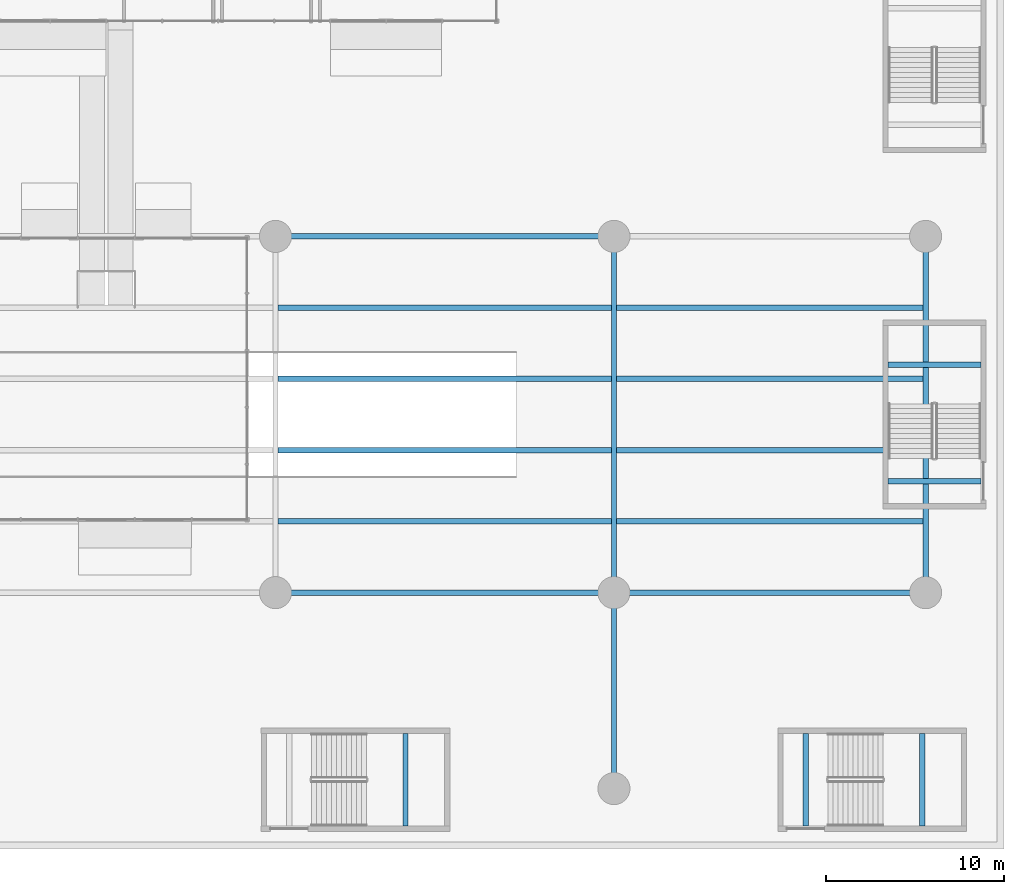
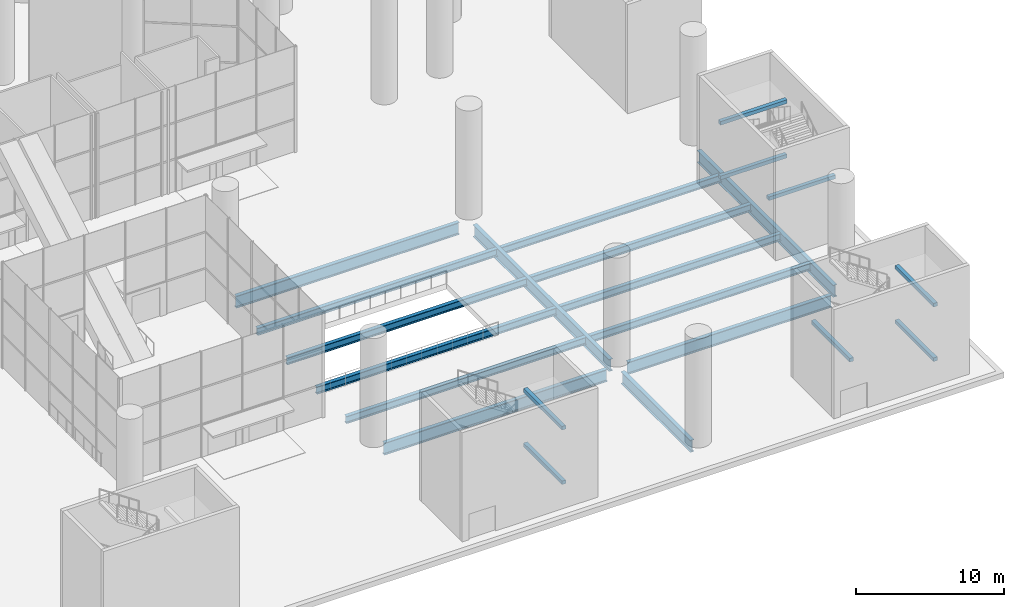
# One storey, part 8 of 37: 22 beams.
"""IFC4 building model written with IfcOpenShell, lengths in metres."""

from ifc_helpers import new_model, si_unit, direction, frame, origin, origin_2d, place, context, subcontext, project, spatial, rectangle, i_section, extrude, material, material_profile, profile_set, type_object, element, save


model = new_model("IFC4")

# Units and contexts
model_context = context("Model", 3, precision=1e-05, world=origin(), true_north=direction((0.0, 1.0)))
body_context = subcontext(model_context, "Body", "Model", "MODEL_VIEW")
ifc_project = project(units=[si_unit("LENGTHUNIT", "METRE"), si_unit("AREAUNIT", "SQUARE_METRE"), si_unit("VOLUMEUNIT", "CUBIC_METRE"), si_unit("PLANEANGLEUNIT", "RADIAN"), si_unit("MASSUNIT", "GRAM", prefix="KILO")], contexts=[model_context])

# Site, building, storey
site_placement = place(None, origin())
site = spatial("IfcSite", under=ifc_project, at=site_placement, CompositionType="ELEMENT")
building_placement = place(site_placement, origin())
building = spatial("IfcBuilding", under=site, at=building_placement, Name="Tel Ilan Convention Tower", CompositionType="ELEMENT")
storey_placement = place(building_placement, origin())
storey = spatial("IfcBuildingStorey", under=building, at=storey_placement, Name="L00", CompositionType="ELEMENT", Elevation=0.0)

# Beams
ifc_material_1 = material(Name="Steel S355", Category="steel")
ifc_material_profile_1 = material_profile(ifc_material_1, i_section(OverallWidth=0.300048828125, OverallDepth=1.0, WebThickness=0.01904296875, FlangeThickness=0.035888671875, FilletRadius=0.030029296875, at=origin_2d()), Name="HEB 1000")
ifc_profile_set_1 = profile_set([ifc_material_profile_1], Name="Steel S355")
beam_type_1 = type_object("IfcBeamType", Name="Girder HEB 1000 Steel S355", PredefinedType="BEAM", material=ifc_profile_set_1)
beam_1_placement = place(storey_placement, frame((10.300048828125, -68.0, -0.949951171875), z_axis=(1.0, 0.0, 0.0), x_axis=(0.0, 1.0, 0.0)))
element("IfcBeam", 1, at=beam_1_placement, inside=storey, type_object=beam_type_1, Name="L00 beam GX24-5", PredefinedType="BEAM", context=body_context, shape_type="SweptSolid", body=[
    extrude(i_section(OverallWidth=0.300048828125, OverallDepth=1.0, WebThickness=0.01904296875, FlangeThickness=0.035888671875, FilletRadius=0.030029296875, at=origin_2d()), origin(), (0.0, 0.0, 1.0), 17.39990234375),
])
beam_2_placement = place(storey_placement, frame((29.300048828125, -68.0, -0.949951171875), z_axis=(1.0, 0.0, 0.0), x_axis=(0.0, 1.0, 0.0)))
element("IfcBeam", 2, at=beam_2_placement, inside=storey, type_object=beam_type_1, Name="L00 beam GX25-6", PredefinedType="BEAM", context=body_context, shape_type="SweptSolid", body=[
    extrude(i_section(OverallWidth=0.300048828125, OverallDepth=1.0, WebThickness=0.01904296875, FlangeThickness=0.035888671875, FilletRadius=0.030029296875, at=origin_2d()), origin(), (0.0, 0.0, 1.0), 15.89990234375),
])
beam_3_placement = place(storey_placement, frame((10.300048828125, -48.0, -0.949951171875), z_axis=(1.0, 0.0, 0.0), x_axis=(0.0, 1.0, 0.0)))
element("IfcBeam", 3, at=beam_3_placement, inside=storey, type_object=beam_type_1, Name="L00 beam GX34-5", PredefinedType="BEAM", context=body_context, shape_type="SweptSolid", body=[
    extrude(i_section(OverallWidth=0.300048828125, OverallDepth=1.0, WebThickness=0.01904296875, FlangeThickness=0.035888671875, FilletRadius=0.030029296875, at=origin_2d()), origin(), (0.0, 0.0, 1.0), 17.39990234375),
])
beam_4_placement = place(storey_placement, frame((28.5, -78.199951171875, -0.949951171875), z_axis=(0.0, 1.0, 0.0), x_axis=(-1.0, 0.0, 0.0)))
element("IfcBeam", 4, at=beam_4_placement, inside=storey, type_object=beam_type_1, Name="L00 beam GY51-2", PredefinedType="BEAM", context=body_context, shape_type="SweptSolid", body=[
    extrude(i_section(OverallWidth=0.300048828125, OverallDepth=1.0, WebThickness=0.01904296875, FlangeThickness=0.035888671875, FilletRadius=0.030029296875, at=origin_2d()), origin(), (0.0, 0.0, 1.0), 9.39990234375),
])
for number, where, z_axis, x_axis, name in (
    (5, (28.5, -67.199951171875, -0.949951171875), (0.0, 1.0, 0.0), (-1.0, 0.0, 0.0), "L00 beam GY52-3"),
    (6, (46.0, -67.199951171875, -0.949951171875), (0.0, 1.0, 0.0), (-1.0, 0.0, 0.0), "L00 beam GY62-3"),
):
    element("IfcBeam", number, at=place(storey_placement, frame(where, z_axis=z_axis, x_axis=x_axis)), inside=storey, type_object=beam_type_1, Name=name, PredefinedType="BEAM", context=body_context, shape_type="SweptSolid", body=[
        extrude(i_section(OverallWidth=0.300048828125, OverallDepth=1.0, WebThickness=0.01904296875, FlangeThickness=0.035888671875, FilletRadius=0.030029296875, at=origin_2d()), origin(), (0.0, 0.0, 1.0), 18.39990234375),
    ])
ifc_material_2 = material(Name="Steel S355", Category="steel")
ifc_material_profile_2 = material_profile(ifc_material_2, i_section(OverallWidth=0.300048828125, OverallDepth=0.60009765625, WebThickness=0.015380859375, FlangeThickness=0.030029296875, FilletRadius=0.027099609375, at=origin_2d()), Name="HEB 600")
ifc_profile_set_2 = profile_set([ifc_material_profile_2], Name="Steel S355")
beam_type_2 = type_object("IfcBeamType", Name="Joist HEB 600 Steel S355", PredefinedType="JOIST", material=ifc_profile_set_2)
for number, where, z_axis, x_axis, name in (
    (7, (9.639892578125, -64.0, -0.75), (1.0, 0.0, 0.0), (0.0, 1.0, 0.0), "L00 beam J4--68-1"),
    (8, (9.639892578125, -60.0, -0.75), (1.0, 0.0, 0.0), (0.0, 1.0, 0.0), "L00 beam J4--68-2"),
    (9, (9.639892578125, -56.0, -0.75), (1.0, 0.0, 0.0), (0.0, 1.0, 0.0), "L00 beam J4--68-3"),
    (10, (9.639892578125, -52.0, -0.75), (1.0, 0.0, 0.0), (0.0, 1.0, 0.0), "L00 beam J4--68-4"),
):
    element("IfcBeam", number, at=place(storey_placement, frame(where, z_axis=z_axis, x_axis=x_axis)), inside=storey, type_object=beam_type_2, Name=name, PredefinedType="JOIST", context=body_context, shape_type="SweptSolid", body=[
        extrude(i_section(OverallWidth=0.300048828125, OverallDepth=0.60009765625, WebThickness=0.015380859375, FlangeThickness=0.030029296875, FilletRadius=0.027099609375, at=origin_2d()), origin(), (0.0, 0.0, 1.0), 18.72021484375),
    ])
for number, where, z_axis, x_axis, name in (
    (11, (28.639892578125, -64.0, -0.75), (1.0, 0.0, 0.0), (0.0, 1.0, 0.0), "L00 beam J5--68-1"),
    (12, (28.639892578125, -60.0, -0.75), (1.0, 0.0, 0.0), (0.0, 1.0, 0.0), "L00 beam J5--68-2"),
    (13, (28.639892578125, -56.0, -0.75), (1.0, 0.0, 0.0), (0.0, 1.0, 0.0), "L00 beam J5--68-3"),
    (14, (28.639892578125, -52.0, -0.75), (1.0, 0.0, 0.0), (0.0, 1.0, 0.0), "L00 beam J5--68-4"),
):
    element("IfcBeam", number, at=place(storey_placement, frame(where, z_axis=z_axis, x_axis=x_axis)), inside=storey, type_object=beam_type_2, Name=name, PredefinedType="JOIST", context=body_context, shape_type="SweptSolid", body=[
        extrude(i_section(OverallWidth=0.300048828125, OverallDepth=0.60009765625, WebThickness=0.015380859375, FlangeThickness=0.030029296875, FilletRadius=0.027099609375, at=origin_2d()), origin(), (0.0, 0.0, 1.0), 17.22021484375),
    ])
ifc_material_3 = material(Name="Concrete C40/50", Category="concrete")
ifc_material_profile_3 = material_profile(ifc_material_3, rectangle(XDim=0.300048828125, YDim=0.300048828125, at=origin_2d()), Name="RC 300x300")
ifc_profile_set_3 = profile_set([ifc_material_profile_3], Name="Concrete C40/50")
beam_type_3 = type_object("IfcBeamType", Name="Landing Beam RC 300x300 Concrete C40/50", PredefinedType="BEAM", material=ifc_profile_set_3)
for number, where, z_axis, x_axis, name in (
    (15, (16.802001953125, -81.10009765625, 1.89990234375), (0.0, 1.0, 0.0), (-1.0, 0.0, 0.0), "P3 landing beam L00.1"),
    (16, (16.802001953125, -81.10009765625, 6.39990234375), (0.0, 1.0, 0.0), (-1.0, 0.0, 0.0), "P3 landing beam L00.3"),
    (17, (45.802001953125, -81.10009765625, 1.89990234375), (0.0, 1.0, 0.0), (-1.0, 0.0, 0.0), "P4 landing beam L00.1"),
    (18, (39.262939453125, -81.10009765625, 4.14990234375), (0.0, 1.0, 0.0), (-1.0, 0.0, 0.0), "P4 landing beam L00.2"),
    (19, (45.802001953125, -81.10009765625, 6.39990234375), (0.0, 1.0, 0.0), (-1.0, 0.0, 0.0), "P4 landing beam L00.3"),
    (20, (49.10009765625, -55.197998046875, 1.89990234375), (-1.0, 0.0, 0.0), (0.0, -1.0, 0.0), "P6 landing beam L00.1"),
    (21, (49.10009765625, -61.737060546875, 4.14990234375), (-1.0, 0.0, 0.0), (0.0, -1.0, 0.0), "P6 landing beam L00.2"),
    (22, (49.10009765625, -55.197998046875, 6.39990234375), (-1.0, 0.0, 0.0), (0.0, -1.0, 0.0), "P6 landing beam L00.3"),
):
    element("IfcBeam", number, at=place(storey_placement, frame(where, z_axis=z_axis, x_axis=x_axis)), inside=storey, type_object=beam_type_3, Name=name, PredefinedType="BEAM", context=body_context, shape_type="SweptSolid", body=[
        extrude(rectangle(XDim=0.300048828125, YDim=0.300048828125, at=origin_2d()), origin(), (0.0, 0.0, 1.0), 5.2001953125),
    ])

save(model, "model.ifc")
